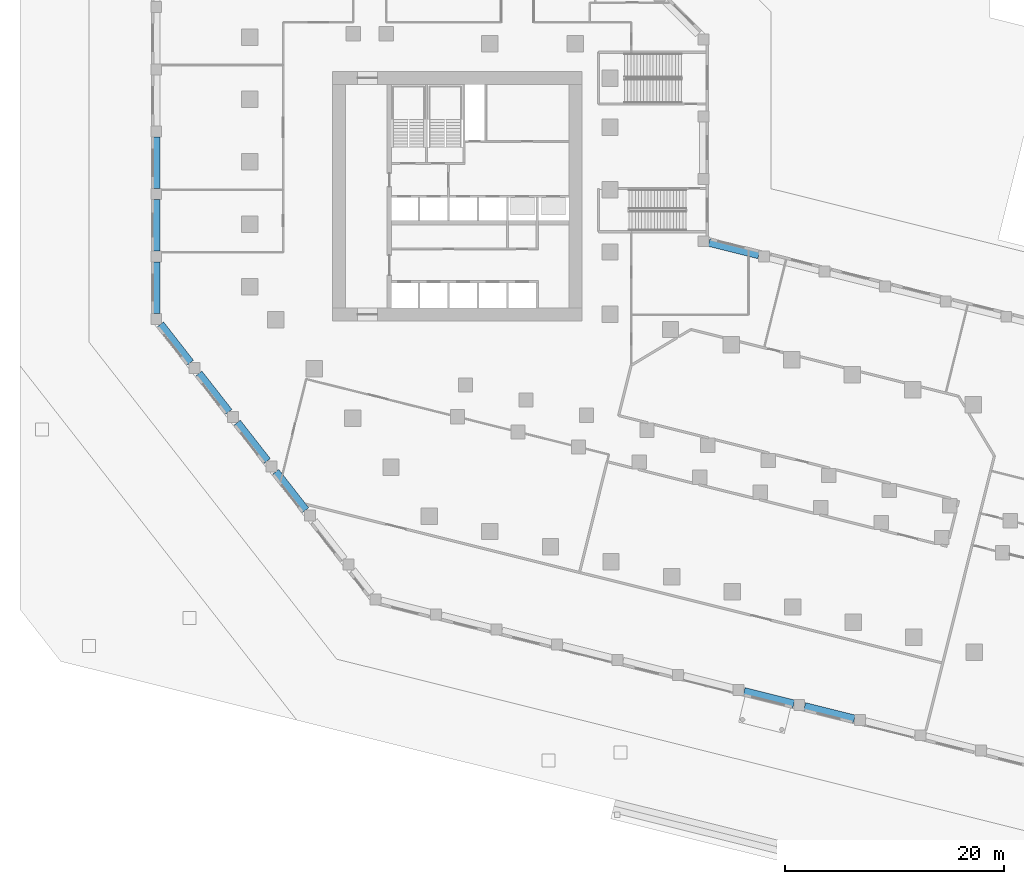
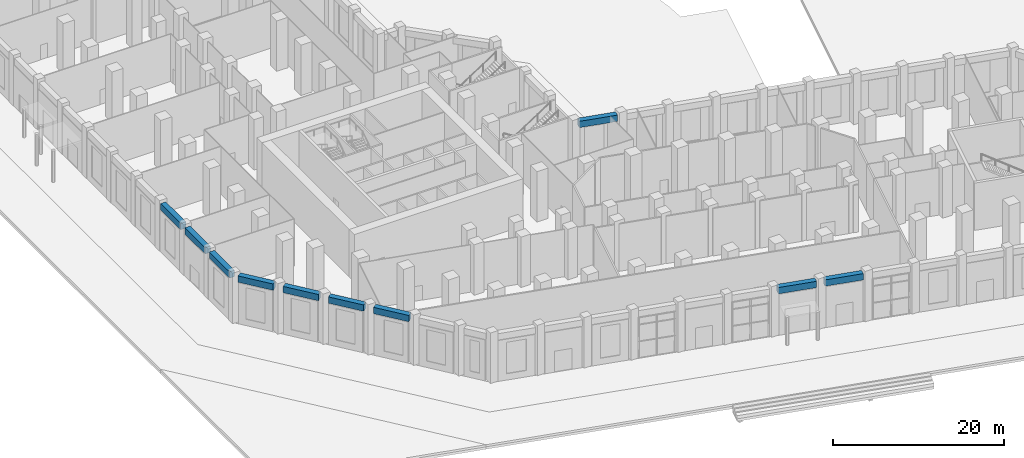
# One storey, part 6 of 27: 10 beams.
"""IFC4 building model written with IfcOpenShell, lengths in metres."""

import ifcopenshell
import ifcopenshell.guid

model = None  # the IFC model being written
_history = None  # IfcOwnerHistory: only IFC2X3 demands one
_inside = {}  # id of a spatial element -> (the spatial element, [elements in it])
_under = {}  # id of a project, library or spatial element -> (it, [spatial elements below it])
_declared = {}  # id of a project -> (the project, [libraries it declares])
_typed = {}  # id of a type object -> (the type object, [elements of that type])
_made_of = {}  # id of a material, layer set ... -> (it, [elements and type objects made of it])


def new_model(schema):
    """Start an empty IFC model of exactly this schema.

    Asked for "IFC4X3", IfcOpenShell would pick the latest addendum, in which some entities
    have other attributes; the version numbers below select the first issue.
    IFC2X3 requires an IfcOwnerHistory on every rooted entity: one is made here for all.
    """
    global model, _history
    if schema == "IFC4X3":
        model = ifcopenshell.file(schema_version=(4, 3, 0, 0))
    else:
        model = ifcopenshell.file(schema=schema)
    _inside.clear()
    _under.clear()
    _declared.clear()
    _typed.clear()
    _made_of.clear()
    _history = None
    if model.schema == "IFC2X3":
        org = make("IfcOrganization", Name="unknown")
        user = make(
            "IfcPersonAndOrganization",
            ThePerson=make("IfcPerson", FamilyName="unknown"),
            TheOrganization=org,
        )
        app = make(
            "IfcApplication",
            ApplicationDeveloper=org,
            Version="unknown",
            ApplicationFullName="unknown",
            ApplicationIdentifier="unknown",
        )
        _history = make(
            "IfcOwnerHistory",
            OwningUser=user,
            OwningApplication=app,
            ChangeAction="ADDED",
            CreationDate=0,
        )
    return model


def make(cls, **values):
    """One entity of the class cls with the attributes given. An attribute that is None is left unset."""
    return model.create_entity(
        cls, **{name: value for name, value in values.items() if value is not None}
    )


def rooted(cls, **values):
    """An entity with a GlobalId (a new one), such as an element, a storey or a relation."""
    return make(cls, GlobalId=ifcopenshell.guid.new(), OwnerHistory=_history, **values)


def si_unit(unit_type, name, prefix=None):
    """IfcSIUnit, for example si_unit("LENGTHUNIT", "METRE", prefix="MILLI")."""
    return make("IfcSIUnit", UnitType=unit_type, Prefix=prefix, Name=name)


def assignment(units):
    """IfcUnitAssignment: the units of a project."""
    return None if units is None else make("IfcUnitAssignment", Units=units)


def point(xyz):
    """IfcCartesianPoint."""
    return None if xyz is None else make("IfcCartesianPoint", Coordinates=xyz)


def direction(xyz):
    """IfcDirection."""
    return None if xyz is None else make("IfcDirection", DirectionRatios=xyz)


def frame(location, z_axis=None, x_axis=None):
    """IfcAxis2Placement3D, a coordinate frame: its origin and axes. An axis left out is left unset."""
    return make(
        "IfcAxis2Placement3D",
        Location=point(location),
        Axis=direction(z_axis),
        RefDirection=direction(x_axis),
    )


def frame_2d(location, x_axis=None):
    """IfcAxis2Placement2D, a coordinate frame in the plane: its origin and x axis."""
    return make(
        "IfcAxis2Placement2D", Location=point(location), RefDirection=direction(x_axis)
    )


def origin():
    """The frame at (0, 0, 0) with its axes left unset."""
    return frame((0.0, 0.0, 0.0))


def origin_2d():
    """The frame at (0, 0) in the plane with its x axis left unset."""
    return frame_2d((0.0, 0.0))


def place(relative_to, where):
    """IfcLocalPlacement: puts the frame where relative to a parent placement (None: the world)."""
    return make(
        "IfcLocalPlacement", PlacementRelTo=relative_to, RelativePlacement=where
    )


def context(
    kind, dimensions, precision=None, world=None, true_north=None, identifier=None
):
    """IfcGeometricRepresentationContext, for example the 3D "Model" context."""
    return make(
        "IfcGeometricRepresentationContext",
        ContextIdentifier=identifier,
        ContextType=kind,
        CoordinateSpaceDimension=dimensions,
        Precision=precision,
        WorldCoordinateSystem=world,
        TrueNorth=true_north,
    )


def subcontext(parent, identifier, kind, view, scale=None):
    """IfcGeometricRepresentationSubContext, for example "Body" below "Model"."""
    return make(
        "IfcGeometricRepresentationSubContext",
        ContextIdentifier=identifier,
        ContextType=kind,
        ParentContext=parent,
        TargetScale=scale,
        TargetView=view,
    )


def project(units=None, contexts=None):
    """IfcProject with its units and contexts."""
    return rooted(
        "IfcProject",
        Name="project",
        RepresentationContexts=contexts,
        UnitsInContext=assignment(units),
    )


def spatial(cls, under=None, at=None, **own):
    """A site, building, storey or space (cls), placed at a placement, below another one or the project."""
    s = rooted(cls, ObjectPlacement=at, **own)
    if under is not None:
        _under.setdefault(under.id(), (under, []))[1].append(s)
    return s


def profile(cls, at=None, kind="AREA", **sizes):
    """A parametric profile (cls). Its sizes go by their IFC names, for example OverallWidth=200.0."""
    return make(cls, ProfileType=kind, Position=at, **sizes)


def rectangle(**sizes):
    """IfcRectangleProfileDef."""
    return profile("IfcRectangleProfileDef", **sizes)


def extrude(swept, where, along, depth):
    """IfcExtrudedAreaSolid: the profile swept, set in the frame where, extruded along a direction by depth."""
    return make(
        "IfcExtrudedAreaSolid",
        SweptArea=swept,
        Position=where,
        ExtrudedDirection=direction(along),
        Depth=depth,
    )


def shape(context_of_items, identifier, shape_type, items):
    """IfcShapeRepresentation: the items that make up one representation, for example the "Body"."""
    return make(
        "IfcShapeRepresentation",
        ContextOfItems=context_of_items,
        RepresentationIdentifier=identifier,
        RepresentationType=shape_type,
        Items=items,
    )


def material(Name=None, Category=None):
    """IfcMaterial."""
    return make("IfcMaterial", Name=Name, Category=Category)


def material_profile(
    of_material, cross_section, Name=None, Category=None, Priority=None
):
    """IfcMaterialProfile: a cross section and its material."""
    return make(
        "IfcMaterialProfile",
        Name=Name,
        Material=of_material,
        Profile=cross_section,
        Priority=Priority,
        Category=Category,
    )


def profile_set(profiles, Name=None, composite=None):
    """IfcMaterialProfileSet."""
    return make(
        "IfcMaterialProfileSet",
        Name=Name,
        MaterialProfiles=profiles,
        CompositeProfile=composite,
    )


def made_of(thing, what):
    """Note that an element or type object is made of a material, layer set ...; save() writes the relation."""
    if what is not None:
        _made_of.setdefault(what.id(), (what, []))[1].append(thing)
    return thing


def type_object(cls, material=None, **own):
    """A type object (cls), such as IfcWallType, which elements share."""
    return made_of(rooted(cls, **own), material)


def element(
    cls,
    number,
    at=None,
    inside=None,
    cuts=None,
    type_object=None,
    material=None,
    context=None,
    identifier="Body",
    shape_type=None,
    held_by="IfcProductDefinitionShape",
    body=None,
    shapes=None,
    **own,
):
    """One element of the class cls, such as IfcWall. Its Tag is "e" and its number.

    at: its placement. inside: the storey or other place that contains it. cuts: it is an
    opening in that element (IfcRelVoidsElement). A single representation is given by context,
    identifier, shape_type and body (its items); several are given by shapes. held_by: the class
    of the entity that holds the representations. save() writes the other relations.
    """
    e = rooted(cls, Tag="e%d" % number, ObjectPlacement=at, **own)
    if body is not None:
        shapes = [shape(context, identifier, shape_type, body)]
    if shapes is not None:
        e.Representation = make(held_by, Representations=shapes)
    if inside is not None:
        _inside.setdefault(inside.id(), (inside, []))[1].append(e)
    if cuts is not None:
        rooted(
            "IfcRelVoidsElement", RelatingBuildingElement=cuts, RelatedOpeningElement=e
        )
    if type_object is not None:
        _typed.setdefault(type_object.id(), (type_object, []))[1].append(e)
    return made_of(e, material)


def aggregate(whole, parts):
    """IfcRelAggregates: a whole, such as a stair, and the parts it consists of."""
    return rooted("IfcRelAggregates", RelatingObject=whole, RelatedObjects=parts)


def save(model, path):
    """Write the relations noted so far, then the file.

    IfcRelAggregates (storeys below a building ...), IfcRelContainedInSpatialStructure (elements
    in a storey), IfcRelDefinesByType, IfcRelAssociatesMaterial and IfcRelDeclares: one each for
    every whole, place, type object, material and project.
    """
    for whole, parts in _under.values():
        aggregate(whole, parts)
    for where, things in _inside.values():
        rooted(
            "IfcRelContainedInSpatialStructure",
            RelatedElements=things,
            RelatingStructure=where,
        )
    for kind, things in _typed.values():
        rooted("IfcRelDefinesByType", RelatedObjects=things, RelatingType=kind)
    for what, things in _made_of.values():
        rooted("IfcRelAssociatesMaterial", RelatedObjects=things, RelatingMaterial=what)
    for by, libraries in _declared.values():
        rooted("IfcRelDeclares", RelatingContext=by, RelatedDefinitions=libraries)
    model.write(path)


model = new_model("IFC4")

# Units and contexts
model_context = context("Model", 3, precision=1e-05, world=origin(), true_north=direction((0.0, 1.0)))
body_context = subcontext(model_context, "Body", "Model", "MODEL_VIEW")
ifc_project = project(units=[si_unit("LENGTHUNIT", "METRE"), si_unit("AREAUNIT", "SQUARE_METRE"), si_unit("VOLUMEUNIT", "CUBIC_METRE"), si_unit("PLANEANGLEUNIT", "RADIAN"), si_unit("MASSUNIT", "GRAM", prefix="KILO")], contexts=[model_context])

# Site, building, storey
site_placement = place(None, origin())
site = spatial("IfcSite", under=ifc_project, at=site_placement, CompositionType="ELEMENT")
building_placement = place(site_placement, origin())
building = spatial("IfcBuilding", under=site, at=building_placement, Name="Meshkara Civic Tower", CompositionType="ELEMENT")
storey_placement = place(building_placement, origin())
storey = spatial("IfcBuildingStorey", under=building, at=storey_placement, Name="L00", CompositionType="ELEMENT", Elevation=0.0)

# Beams
ifc_material = material(Name="Concrete C60", Category="concrete")
ifc_material_profile = material_profile(ifc_material, rectangle(XDim=0.699951171875, YDim=0.89990234375, at=origin_2d()))
ifc_profile_set = profile_set([ifc_material_profile], Name="Concrete C60")
beam_type = type_object("IfcBeamType", Name="Spandrel beam RC 700x900 C60", PredefinedType="BEAM", material=ifc_profile_set)
for number, where, z_axis, x_axis, name in (
    (1, (-8.10009765625, 30.916015625, 6.300048828125), (0.0, -1.0, 0.0), (1.0, 0.0, 0.0), "Spandrel beam PD02-02-PD02-03"),
    (2, (-8.10009765625, 25.216064453125, 6.300048828125), (0.0, -1.0, 0.0), (1.0, 0.0, 0.0), "Spandrel beam PD02-01-PD02-02"),
):
    element("IfcBeam", number, at=place(storey_placement, frame(where, z_axis=z_axis, x_axis=x_axis)), inside=storey, type_object=beam_type, Name=name, PredefinedType="BEAM", context=body_context, shape_type="SweptSolid", body=[
        extrude(rectangle(XDim=0.699951171875, YDim=0.89990234375, at=origin_2d()), origin(), (0.0, 0.0, 1.0), 4.7099609375),
    ])
beam_1_placement = place(storey_placement, frame((-8.10009765625, 19.51611328125, 6.300048828125), z_axis=(0.0, -1.0, 0.0), x_axis=(1.0, 0.0, 0.0)))
element("IfcBeam", 3, at=beam_1_placement, inside=storey, type_object=beam_type, Name="Spandrel beam PD02-00-PD02-01", PredefinedType="BEAM", context=body_context, shape_type="SweptSolid", body=[
    extrude(rectangle(XDim=0.699951171875, YDim=0.89990234375, at=origin_2d()), origin(), (0.0, 0.0, 1.0), 4.710205078125),
])
beam_2_placement = place(storey_placement, frame((-7.71240234375, 13.81494140625, 6.300048828125), z_axis=(0.615602435322, -0.788056877151, 0.0), x_axis=(0.788056877151, 0.615602435322, 0.0)))
element("IfcBeam", 4, at=beam_2_placement, inside=storey, type_object=beam_type, Name="Spandrel beam PD02-00-PD03-01", PredefinedType="BEAM", context=body_context, shape_type="SweptSolid", body=[
    extrude(rectangle(XDim=0.699951171875, YDim=0.89990234375, at=origin_2d()), origin(), (0.0, 0.0, 1.0), 4.44091796875),
])
beam_3_placement = place(storey_placement, frame((-4.203369140625, 9.322998046875, 6.300048828125), z_axis=(0.615709126877, -0.787973521814, 0.0), x_axis=(0.787973521814, 0.615709126877, 0.0)))
element("IfcBeam", 5, at=beam_3_placement, inside=storey, type_object=beam_type, Name="Spandrel beam PD03-01-PD03-02", PredefinedType="BEAM", context=body_context, shape_type="SweptSolid", body=[
    extrude(rectangle(XDim=0.699951171875, YDim=0.89990234375, at=origin_2d()), origin(), (0.0, 0.0, 1.0), 4.440185546875),
])
beam_4_placement = place(storey_placement, frame((-0.6943359375, 4.831787109375, 6.300048828125), z_axis=(0.615704842432, -0.787976869588, 0.0), x_axis=(0.787976869588, 0.615704842432, 0.0)))
element("IfcBeam", 6, at=beam_4_placement, inside=storey, type_object=beam_type, Name="Spandrel beam PD03-02-PD03-03", PredefinedType="BEAM", context=body_context, shape_type="SweptSolid", body=[
    extrude(rectangle(XDim=0.699951171875, YDim=0.89990234375, at=origin_2d()), origin(), (0.0, 0.0, 1.0), 4.44140625),
])
beam_5_placement = place(storey_placement, frame((2.8154296875, 0.33984375, 6.300048828125), z_axis=(0.615636574491, -0.788030207637, 0.0), x_axis=(0.788030207637, 0.615636574491, 0.0)))
element("IfcBeam", 7, at=beam_5_placement, inside=storey, type_object=beam_type, Name="Spandrel beam PD03-03-PD03-04", PredefinedType="BEAM", context=body_context, shape_type="SweptSolid", body=[
    extrude(rectangle(XDim=0.699951171875, YDim=0.89990234375, at=origin_2d()), origin(), (0.0, 0.0, 1.0), 4.441162109375),
])
for number, where, z_axis, x_axis, name in (
    (8, (45.60498046875, -19.718505859375, 6.300048828125), (0.970301859111, -0.241897296812, 0.0), (0.241897296812, 0.970301859111, 0.0), "Spandrel beam PD04-06-PD04-07"),
    (9, (51.135986328125, -21.097412109375, 6.300048828125), (0.970301859111, -0.241897296812, 0.0), (0.241897296812, 0.970301859111, 0.0), "Spandrel beam PD04-07-PD04-08"),
):
    element("IfcBeam", number, at=place(storey_placement, frame(where, z_axis=z_axis, x_axis=x_axis)), inside=storey, type_object=beam_type, Name=name, PredefinedType="BEAM", context=body_context, shape_type="SweptSolid", body=[
        extrude(rectangle(XDim=0.699951171875, YDim=0.89990234375, at=origin_2d()), origin(), (0.0, 0.0, 1.0), 4.679931640625),
    ])
beam_6_placement = place(storey_placement, frame((46.935791015625, 20.1435546875, 6.300048828125), z_axis=(-0.970311050729, 0.24186042428, 0.0), x_axis=(-0.24186042428, -0.970311050729, 0.0)))
element("IfcBeam", 10, at=beam_6_placement, inside=storey, type_object=beam_type, Name="Spandrel beam PD08-00-PD08-01", PredefinedType="BEAM", context=body_context, shape_type="SweptSolid", body=[
    extrude(rectangle(XDim=0.699951171875, YDim=0.89990234375, at=origin_2d()), origin(), (0.0, 0.0, 1.0), 4.6796875),
])

save(model, "model.ifc")
